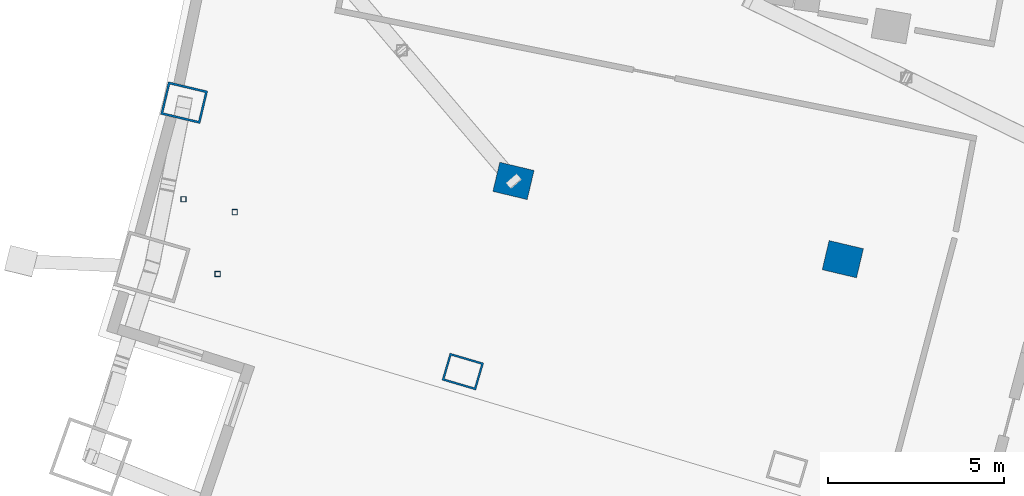
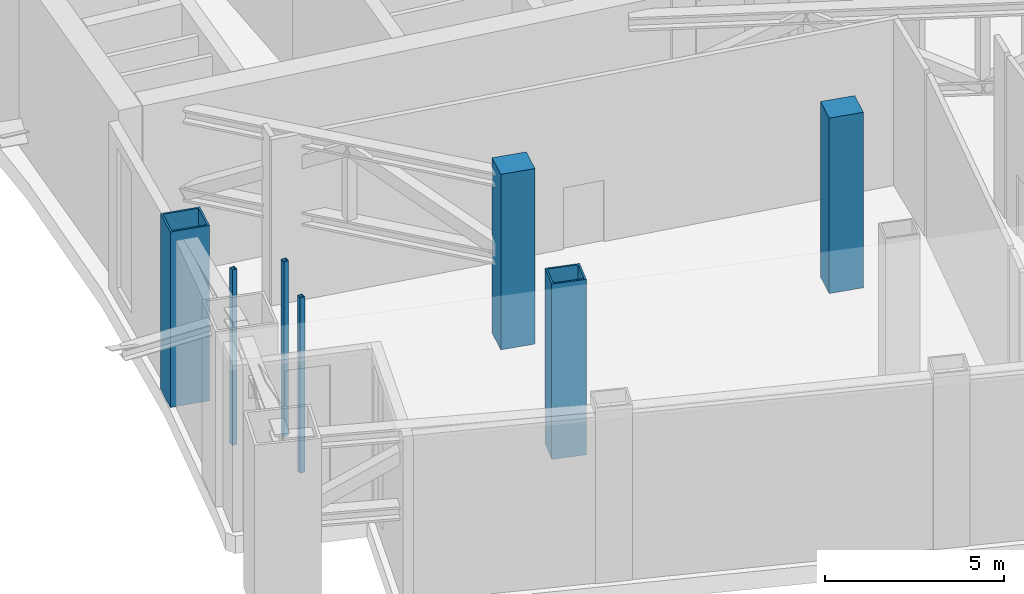
# One storey, part 2 of 26: 7 columns.
"""IFC4 building model written with IfcOpenShell, lengths in metres."""

from ifc_helpers import new_model, si_unit, direction, frame, origin, origin_2d, place, context, subcontext, project, spatial, rectangle, hollow_rectangle, extrude, material, material_profile, profile_set, type_object, element, save


model = new_model("IFC4")

# Units and contexts
model_context = context("Model", 3, precision=1e-05, world=origin(), true_north=direction((0.0, 1.0)))
body_context = subcontext(model_context, "Body", "Model", "MODEL_VIEW")
ifc_project = project(units=[si_unit("LENGTHUNIT", "METRE"), si_unit("AREAUNIT", "SQUARE_METRE"), si_unit("VOLUMEUNIT", "CUBIC_METRE"), si_unit("PLANEANGLEUNIT", "RADIAN"), si_unit("MASSUNIT", "GRAM", prefix="KILO")], contexts=[model_context])

# Site, building, storey
site_placement = place(None, origin())
site = spatial("IfcSite", under=ifc_project, at=site_placement, CompositionType="ELEMENT")
building_placement = place(site_placement, origin())
building = spatial("IfcBuilding", under=site, at=building_placement, Name="Alderwake Tower", CompositionType="ELEMENT")
storey_placement = place(building_placement, frame((0.0, 0.0, 132.800048828125)))
storey = spatial("IfcBuildingStorey", under=building, at=storey_placement, Name="L32", CompositionType="ELEMENT", Elevation=132.800048828125)

# Columns
ifc_material_1 = material(Name="Steel ASTM A572 Grade 50 concrete filled C70/85", Category="concrete")
ifc_material_profile_1 = material_profile(ifc_material_1, hollow_rectangle(XDim=0.800048828125, YDim=1.0, WallThickness=0.054931640625, at=origin_2d()), Name="BOX 1000X800X55")
ifc_profile_set_1 = profile_set([ifc_material_profile_1], Name="Steel ASTM A572 Grade 50 concrete filled C70/85")
column_type_1 = type_object("IfcColumnType", Name="End column Z3", PredefinedType="COLUMN", material=ifc_profile_set_1)
column_1_placement = place(storey_placement, frame((21.885498046875, 31.03759765625, 0.0), z_axis=(0.0, 0.0, 1.0), x_axis=(0.282132160283, 0.95937554906, 0.0)))
element("IfcColumn", 1, at=column_1_placement, inside=storey, type_object=column_type_1, Name="Column R02-C1", PredefinedType="COLUMN", context=body_context, shape_type="SweptSolid", body=[
    extrude(hollow_rectangle(XDim=0.800048828125, YDim=1.0, WallThickness=0.054931640625, at=origin_2d()), origin(), (0.0, 0.0, 1.0), 6.0),
])
ifc_material_2 = material(Name="Concrete C70/85", Category="concrete")
ifc_material_profile_2 = material_profile(ifc_material_2, rectangle(XDim=0.85009765625, YDim=1.0, at=origin_2d()), Name="RC 1000X850")
ifc_profile_set_2 = profile_set([ifc_material_profile_2], Name="Concrete C70/85")
column_type_2 = type_object("IfcColumnType", Name="Interior column Z2", PredefinedType="COLUMN", material=ifc_profile_set_2)
for number, where, z_axis, x_axis, name in (
    (2, (23.322021484375, 36.444091796875, 0.0), (0.0, 0.0, 1.0), (0.231221547198, 0.972901123502, 0.0), "Column R03-C1"),
    (3, (32.661865234375, 34.224609375, 0.0), (0.0, 0.0, 1.0), (0.231221547198, 0.972901123502, 0.0), "Column R03-C2"),
):
    element("IfcColumn", number, at=place(storey_placement, frame(where, z_axis=z_axis, x_axis=x_axis)), inside=storey, type_object=column_type_2, Name=name, PredefinedType="COLUMN", context=body_context, shape_type="SweptSolid", body=[
        extrude(rectangle(XDim=0.85009765625, YDim=1.0, at=origin_2d()), origin(), (0.0, 0.0, 1.0), 6.0),
    ])
ifc_material_3 = material(Name="Steel ASTM A500 Grade C", Category="steel")
ifc_material_profile_3 = material_profile(ifc_material_3, hollow_rectangle(XDim=0.15234375, YDim=0.15234375, WallThickness=0.0087890625, at=origin_2d()), Name="HSS6X6X3/8")
ifc_profile_set_3 = profile_set([ifc_material_profile_3], Name="Steel ASTM A500 Grade C")
column_type_3 = type_object("IfcColumnType", Name="Light post HSS6X6X3/8", PredefinedType="COLUMN", material=ifc_profile_set_3)
for number, where, z_axis, x_axis, name in (
    (4, (13.962158203125, 35.926513671875, 0.0), (0.0, 0.0, 1.0), (1.0, 0.0, 0.0), "Terrace post RS1"),
    (5, (14.93115234375, 33.803955078125, 0.0), (0.0, 0.0, 1.0), (1.0, 0.0, 0.0), "Terrace post RS2"),
    (6, (15.41650390625, 35.558349609375, 0.0), (0.0, 0.0, 1.0), (1.0, 0.0, 0.0), "Terrace post RS3"),
):
    element("IfcColumn", number, at=place(storey_placement, frame(where, z_axis=z_axis, x_axis=x_axis)), inside=storey, type_object=column_type_3, Name=name, PredefinedType="COLUMN", context=body_context, shape_type="SweptSolid", body=[
        extrude(hollow_rectangle(XDim=0.15234375, YDim=0.15234375, WallThickness=0.0087890625, at=origin_2d()), origin(), (0.0, 0.0, 1.0), 6.0),
    ])
ifc_material_4 = material(Name="Steel ASTM A572 Grade 50 concrete filled C70/85", Category="concrete")
ifc_material_profile_4 = material_profile(ifc_material_4, hollow_rectangle(XDim=0.949951171875, YDim=1.14990234375, WallThickness=0.06005859375, at=origin_2d()), Name="BOX 1150X950X60")
ifc_profile_set_4 = profile_set([ifc_material_profile_4], Name="Steel ASTM A572 Grade 50 concrete filled C70/85")
column_type_4 = type_object("IfcColumnType", Name="Perimeter column Z2", PredefinedType="COLUMN", material=ifc_profile_set_4)
column_2_placement = place(storey_placement, frame((13.982177734375, 38.6640625, 0.0), z_axis=(0.0, 0.0, 1.0), x_axis=(0.231221547198, 0.972901123502, 0.0)))
element("IfcColumn", 7, at=column_2_placement, inside=storey, type_object=column_type_4, Name="Column R03-C0", PredefinedType="COLUMN", context=body_context, shape_type="SweptSolid", body=[
    extrude(hollow_rectangle(XDim=0.949951171875, YDim=1.14990234375, WallThickness=0.06005859375, at=origin_2d()), origin(), (0.0, 0.0, 1.0), 6.0),
])

save(model, "model.ifc")
